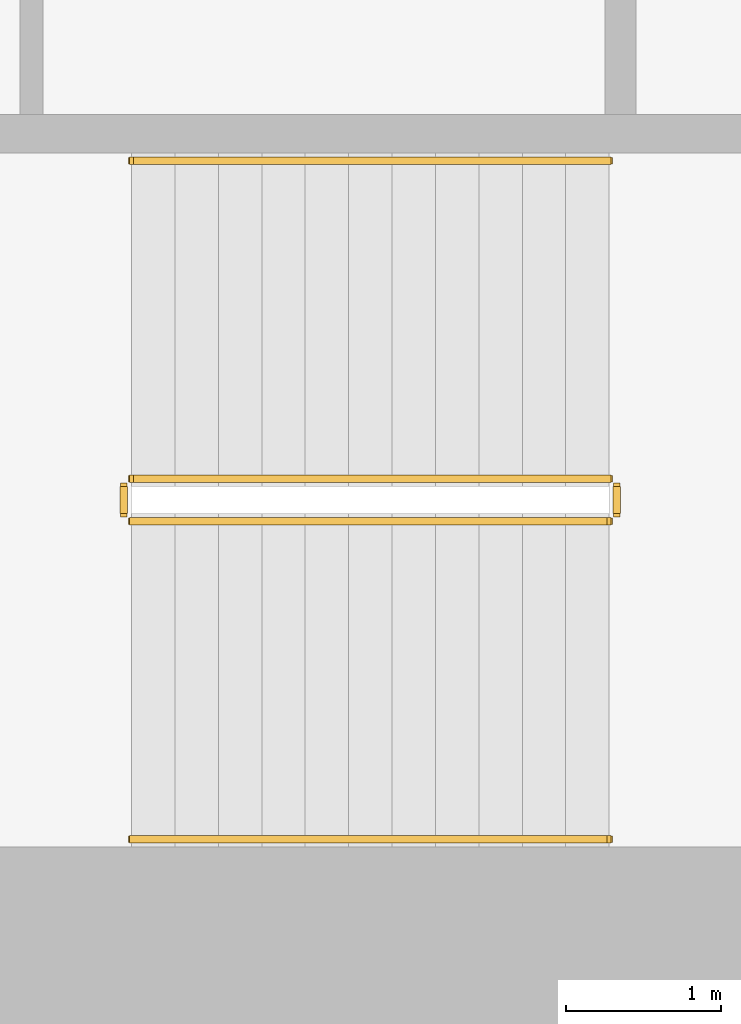
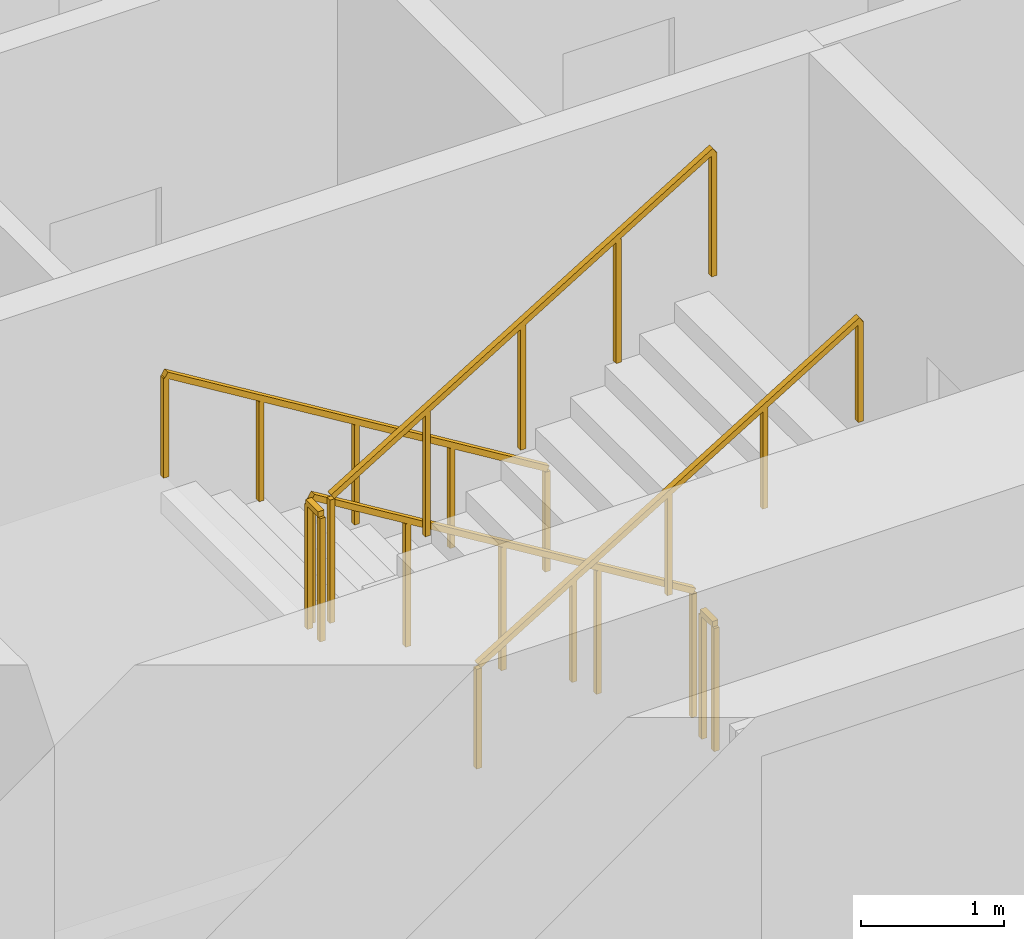
# One storey, part 11 of 16: 6 railings.
"""IFC4 building model written with IfcOpenShell, lengths in metres."""

from ifc_helpers import new_model, si_unit, direction, frame, origin, origin_2d, place, context, subcontext, project, spatial, rectangle, extrude, material, type_object, element, save


model = new_model("IFC4")

# Units and contexts
model_context = context("Model", 3, precision=1e-05, world=origin(), true_north=direction((0.0, 1.0)))
body_context = subcontext(model_context, "Body", "Model", "MODEL_VIEW")
ifc_project = project(units=[si_unit("LENGTHUNIT", "METRE"), si_unit("AREAUNIT", "SQUARE_METRE"), si_unit("VOLUMEUNIT", "CUBIC_METRE"), si_unit("PLANEANGLEUNIT", "RADIAN"), si_unit("MASSUNIT", "GRAM", prefix="KILO")], contexts=[model_context])

# Site, building, storey
site_placement = place(None, origin())
site = spatial("IfcSite", under=ifc_project, at=site_placement, CompositionType="ELEMENT")
building_placement = place(site_placement, origin())
building = spatial("IfcBuilding", under=site, at=building_placement, Name="Cypress Arch Tower", CompositionType="ELEMENT")
storey_placement = place(building_placement, frame((0.0, 0.0, 181.0)))
storey = spatial("IfcBuildingStorey", under=building, at=storey_placement, Name="L39", CompositionType="ELEMENT", Elevation=181.0)

# Railings
ifc_material_1 = material(Name="Black powder-coated steel square bar 48 mm", Category="steel")
railing_type_1 = type_object("IfcRailingType", Name="Stair handrail HR1", PredefinedType="HANDRAIL", material=ifc_material_1)
railing_1_placement = place(storey_placement, frame((-22.27490234375, -10.375, 0.1708984375)))
element("IfcRailing", 1, at=railing_1_placement, inside=storey, type_object=railing_type_1, Name="L39 A stair handrail 1", PredefinedType="HANDRAIL", context=body_context, shape_type="SweptSolid", body=[
    extrude(rectangle(XDim=0.048095703125, YDim=0.048095703125, at=origin_2d()), frame((0.0, 0.0, 0.8759765625), z_axis=(-0.853666305674, 0.0, 0.52082035152), x_axis=(0.0, -1.0, 0.0)), (0.0, 0.0, 1.0), 3.608154296875),
    extrude(rectangle(XDim=0.0419921875, YDim=0.0419921875, at=origin_2d()), origin(), (0.0, 0.0, 1.0), 0.851806640625),
    extrude(rectangle(XDim=0.0419921875, YDim=0.0419921875, at=origin_2d()), frame((-0.77001953125, 0.0, 0.4697265625)), (0.0, 0.0, 1.0), 0.851806640625),
    extrude(rectangle(XDim=0.0419921875, YDim=0.0419921875, at=origin_2d()), frame((-1.5400390625, 0.0, 0.939453125)), (0.0, 0.0, 1.0), 0.851806640625),
    extrude(rectangle(XDim=0.0419921875, YDim=0.0419921875, at=origin_2d()), frame((-2.31005859375, 0.0, 1.409423828125)), (0.0, 0.0, 1.0), 0.851806640625),
    extrude(rectangle(XDim=0.0419921875, YDim=0.0419921875, at=origin_2d()), frame((-3.080078125, 0.0, 1.879150390625)), (0.0, 0.0, 1.0), 0.851806640625),
])
railing_2_placement = place(storey_placement, frame((-25.35498046875, -14.75, 2.220947265625)))
element("IfcRailing", 2, at=railing_2_placement, inside=storey, type_object=railing_type_1, Name="L39 A stair handrail 2", PredefinedType="HANDRAIL", context=body_context, shape_type="SweptSolid", body=[
    extrude(rectangle(XDim=0.048095703125, YDim=0.048095703125, at=origin_2d()), frame((0.0, 0.0, 0.8759765625), z_axis=(0.853666305674, 0.0, 0.52082035152), x_axis=(0.0, 1.0, 0.0)), (0.0, 0.0, 1.0), 3.608154296875),
    extrude(rectangle(XDim=0.0419921875, YDim=0.0419921875, at=origin_2d()), origin(), (0.0, 0.0, 1.0), 0.851806640625),
    extrude(rectangle(XDim=0.0419921875, YDim=0.0419921875, at=origin_2d()), frame((0.77001953125, 0.0, 0.4697265625)), (0.0, 0.0, 1.0), 0.851806640625),
    extrude(rectangle(XDim=0.0419921875, YDim=0.0419921875, at=origin_2d()), frame((1.5400390625, 0.0, 0.939453125)), (0.0, 0.0, 1.0), 0.851806640625),
    extrude(rectangle(XDim=0.0419921875, YDim=0.0419921875, at=origin_2d()), frame((2.31005859375, 0.0, 1.409423828125)), (0.0, 0.0, 1.0), 0.851806640625),
    extrude(rectangle(XDim=0.0419921875, YDim=0.0419921875, at=origin_2d()), frame((3.080078125, 0.0, 1.879150390625)), (0.0, 0.0, 1.0), 0.851806640625),
])
ifc_material_2 = material(Name="Black powder-coated steel balusters", Category="steel")
railing_type_2 = type_object("IfcRailingType", Name="Stair well guard G1", PredefinedType="GUARDRAIL", material=ifc_material_2)
railing_3_placement = place(storey_placement, frame((-22.27490234375, -12.425048828125, 0.1708984375)))
element("IfcRailing", 3, at=railing_3_placement, inside=storey, type_object=railing_type_2, Name="L39 A stair guard 1", PredefinedType="GUARDRAIL", context=body_context, shape_type="SweptSolid", body=[
    extrude(rectangle(XDim=0.048095703125, YDim=0.048095703125, at=origin_2d()), frame((0.0, 0.0, 1.076171875), z_axis=(-0.853666305674, 0.0, 0.52082035152), x_axis=(0.0, -1.0, 0.0)), (0.0, 0.0, 1.0), 3.608154296875),
    extrude(rectangle(XDim=0.0419921875, YDim=0.0419921875, at=origin_2d()), origin(), (0.0, 0.0, 1.0), 1.052001953125),
    extrude(rectangle(XDim=0.0419921875, YDim=0.0419921875, at=origin_2d()), frame((-0.77001953125, 0.0, 0.4697265625)), (0.0, 0.0, 1.0), 1.052001953125),
    extrude(rectangle(XDim=0.0419921875, YDim=0.0419921875, at=origin_2d()), frame((-1.5400390625, 0.0, 0.939453125)), (0.0, 0.0, 1.0), 1.052001953125),
    extrude(rectangle(XDim=0.0419921875, YDim=0.0419921875, at=origin_2d()), frame((-2.31005859375, 0.0, 1.409423828125)), (0.0, 0.0, 1.0), 1.052001953125),
    extrude(rectangle(XDim=0.0419921875, YDim=0.0419921875, at=origin_2d()), frame((-3.080078125, 0.0, 1.879150390625)), (0.0, 0.0, 1.0), 1.052001953125),
])
railing_4_placement = place(storey_placement, frame((-25.405029296875, -12.47509765625, 2.050048828125)))
element("IfcRailing", 4, at=railing_4_placement, inside=storey, type_object=railing_type_2, Name="L39 A stair guard 2", PredefinedType="GUARDRAIL", context=body_context, shape_type="SweptSolid", body=[
    extrude(rectangle(XDim=0.048095703125, YDim=0.048095703125, at=origin_2d()), frame((0.0, 0.0, 1.076171875), z_axis=(0.0, -1.0, 0.0), x_axis=(1.0, 0.0, 0.0)), (0.0, 0.0, 1.0), 0.1748046875),
    extrude(rectangle(XDim=0.0419921875, YDim=0.0419921875, at=origin_2d()), origin(), (0.0, 0.0, 1.0), 1.052001953125),
    extrude(rectangle(XDim=0.0419921875, YDim=0.0419921875, at=origin_2d()), frame((0.0, -0.1748046875, 0.0)), (0.0, 0.0, 1.0), 1.052001953125),
])
railing_5_placement = place(storey_placement, frame((-25.35498046875, -12.699951171875, 2.220947265625)))
element("IfcRailing", 5, at=railing_5_placement, inside=storey, type_object=railing_type_2, Name="L39 A stair guard 3", PredefinedType="GUARDRAIL", context=body_context, shape_type="SweptSolid", body=[
    extrude(rectangle(XDim=0.048095703125, YDim=0.048095703125, at=origin_2d()), frame((0.0, 0.0, 1.076171875), z_axis=(0.853666305674, 0.0, 0.52082035152), x_axis=(0.0, 1.0, 0.0)), (0.0, 0.0, 1.0), 3.608154296875),
    extrude(rectangle(XDim=0.0419921875, YDim=0.0419921875, at=origin_2d()), origin(), (0.0, 0.0, 1.0), 1.052001953125),
    extrude(rectangle(XDim=0.0419921875, YDim=0.0419921875, at=origin_2d()), frame((0.77001953125, 0.0, 0.4697265625)), (0.0, 0.0, 1.0), 1.052001953125),
    extrude(rectangle(XDim=0.0419921875, YDim=0.0419921875, at=origin_2d()), frame((1.5400390625, 0.0, 0.939453125)), (0.0, 0.0, 1.0), 1.052001953125),
    extrude(rectangle(XDim=0.0419921875, YDim=0.0419921875, at=origin_2d()), frame((2.31005859375, 0.0, 1.409423828125)), (0.0, 0.0, 1.0), 1.052001953125),
    extrude(rectangle(XDim=0.0419921875, YDim=0.0419921875, at=origin_2d()), frame((3.080078125, 0.0, 1.879150390625)), (0.0, 0.0, 1.0), 1.052001953125),
])
railing_6_placement = place(storey_placement, frame((-22.22509765625, -12.47509765625, 0.0)))
element("IfcRailing", 6, at=railing_6_placement, inside=storey, type_object=railing_type_2, Name="L39 A stair guard 4", PredefinedType="GUARDRAIL", context=body_context, shape_type="SweptSolid", body=[
    extrude(rectangle(XDim=0.048095703125, YDim=0.048095703125, at=origin_2d()), frame((0.0, 0.0, 1.076171875), z_axis=(0.0, -1.0, 0.0), x_axis=(1.0, 0.0, 0.0)), (0.0, 0.0, 1.0), 0.1748046875),
    extrude(rectangle(XDim=0.0419921875, YDim=0.0419921875, at=origin_2d()), origin(), (0.0, 0.0, 1.0), 1.052001953125),
    extrude(rectangle(XDim=0.0419921875, YDim=0.0419921875, at=origin_2d()), frame((0.0, -0.1748046875, 0.0)), (0.0, 0.0, 1.0), 1.052001953125),
])

save(model, "model.ifc")
